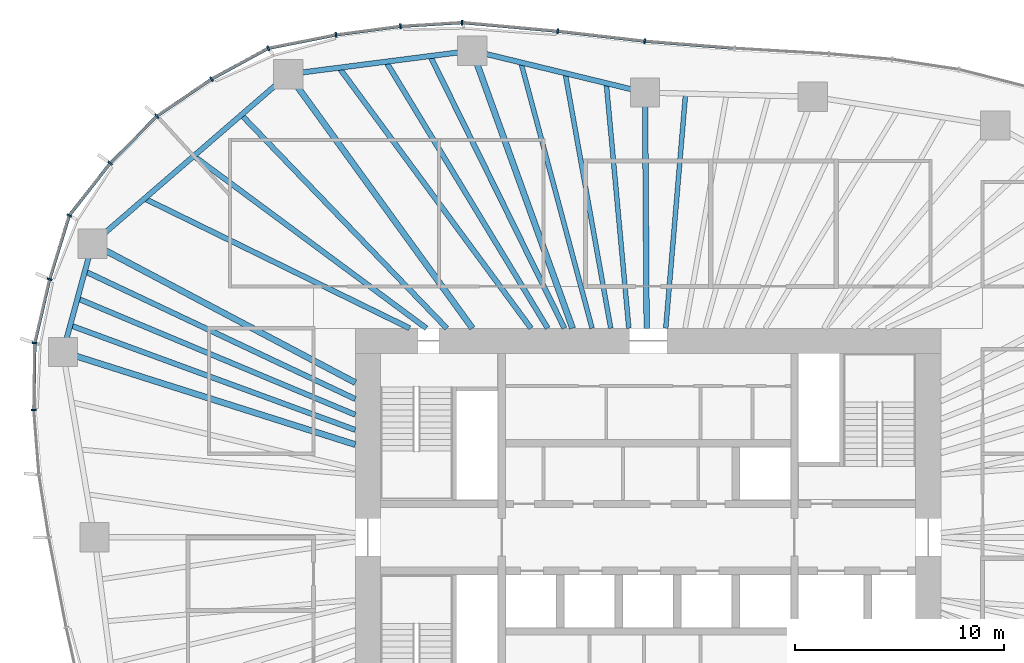
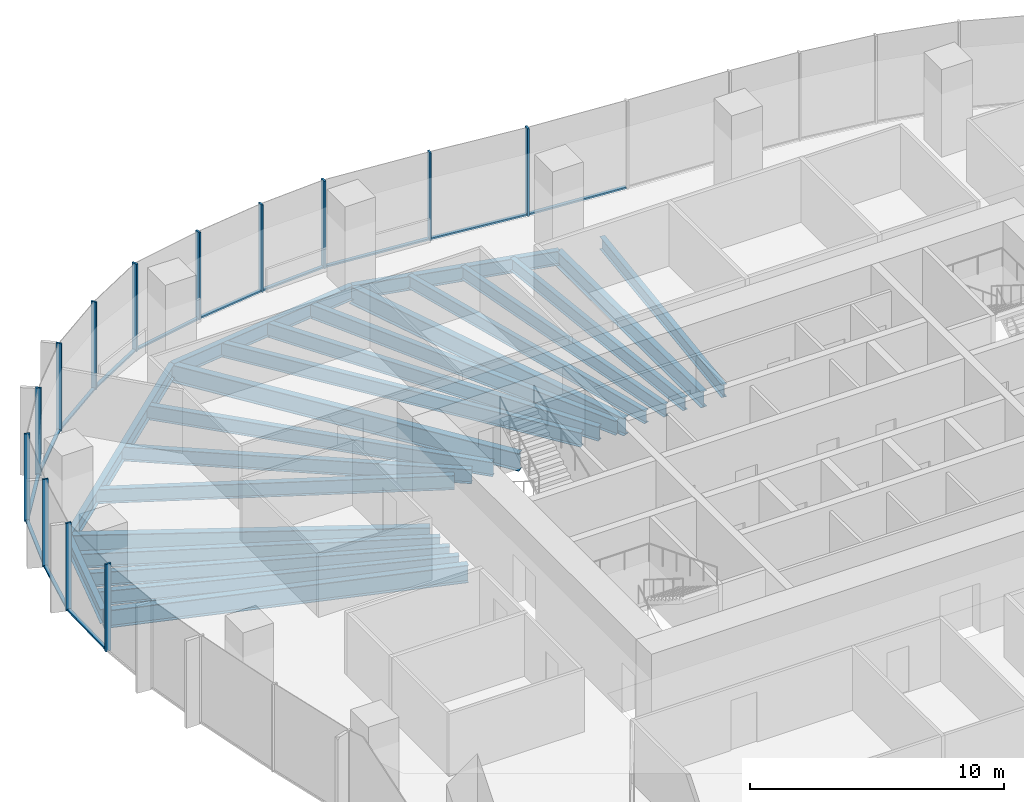
# One storey, part 5 of 18: 26 members, 22 beams, 6 elements without a shape of their own.
"""IFC4 building model written with IfcOpenShell, lengths in metres."""

from ifc_helpers import new_model, si_unit, direction, frame, origin, origin_2d, place, context, subcontext, project, spatial, rectangle, i_section, extrude, material, material_profile, profile_set, type_object, element, aggregate, save


model = new_model("IFC4")

# Units and contexts
model_context = context("Model", 3, precision=1e-05, world=origin(), true_north=direction((0.0, 1.0)))
body_context = subcontext(model_context, "Body", "Model", "MODEL_VIEW")
ifc_project = project(units=[si_unit("LENGTHUNIT", "METRE"), si_unit("AREAUNIT", "SQUARE_METRE"), si_unit("VOLUMEUNIT", "CUBIC_METRE"), si_unit("PLANEANGLEUNIT", "RADIAN"), si_unit("MASSUNIT", "GRAM", prefix="KILO")], contexts=[model_context])

# Site, building, storey
site_placement = place(None, origin())
site = spatial("IfcSite", under=ifc_project, at=site_placement, CompositionType="ELEMENT")
building_placement = place(site_placement, origin())
building = spatial("IfcBuilding", under=site, at=building_placement, Name="Ghaith Harvest Tower", CompositionType="ELEMENT")
storey_placement = place(building_placement, frame((0.0, 0.0, 159.60009765625)))
storey = spatial("IfcBuildingStorey", under=building, at=storey_placement, Name="L34", CompositionType="ELEMENT", Elevation=159.60009765625)

# Curtain wall, members
ifc_material_1 = material(Name="Black anodised aluminium and fritted glass", Category="aluminium")
curtain_wall_type = type_object("IfcCurtainWallType", Name="CW-L CURTAIN WALL", PredefinedType="NOTDEFINED", material=ifc_material_1)
curtain_wall_1_placement = place(storey_placement, origin())
curtain_wall_1 = element("IfcCurtainWall", 1, at=curtain_wall_1_placement, inside=storey, type_object=curtain_wall_type, Name="Curtain wall CW-L bay 06 L34", PredefinedType="NOTDEFINED")
ifc_material_2 = material(Name="Aluminium, black anodised", Category="aluminium")
ifc_material_profile_1 = material_profile(ifc_material_2, rectangle(XDim=0.080078125, YDim=0.239990234375, at=origin_2d()), Name="CW-L MULLION 80x240")
ifc_profile_set_1 = profile_set([ifc_material_profile_1], Name="Aluminium, black anodised")
member_type_1 = type_object("IfcMemberType", Name="CW-L MULLION 80x240", PredefinedType="MULLION", material=ifc_profile_set_1)
member_1_placement = place(storey_placement, frame((-0.162353515625, 23.729736328125, 0.0), z_axis=(0.0, 0.0, 1.0), x_axis=(-0.995388088953, 0.095929934691, 0.0)))
member_1 = element("IfcMember", 2, at=member_1_placement, type_object=member_type_1, Name="CW-L mullion 1 bay 06 L34", PredefinedType="MULLION", context=body_context, shape_type="SweptSolid", body=[
    extrude(rectangle(XDim=0.080078125, YDim=0.239990234375, at=origin_2d()), origin(), (0.0, 0.0, 1.0), 4.199951171875),
])
member_2_placement = place(storey_placement, frame((-4.322998046875, 24.207275390625, 0.0), z_axis=(0.0, 0.0, 1.0), x_axis=(-0.994830371571, 0.101550636625, 0.0)))
member_2 = element("IfcMember", 3, at=member_2_placement, type_object=member_type_1, Name="CW-L mullion 2 bay 06 L34", PredefinedType="MULLION", context=body_context, shape_type="SweptSolid", body=[
    extrude(rectangle(XDim=0.080078125, YDim=0.239990234375, at=origin_2d()), origin(), (0.0, 0.0, 1.0), 4.199951171875),
])

curtain_wall_2_placement = place(storey_placement, origin())
curtain_wall_2 = element("IfcCurtainWall", 4, at=curtain_wall_2_placement, inside=storey, type_object=curtain_wall_type, Name="Curtain wall CW-L bay 07 L34", PredefinedType="NOTDEFINED")
member_3_placement = place(storey_placement, frame((-8.892578125, 24.620849609375, 0.0), z_axis=(0.0, 0.0, 1.0), x_axis=(-0.999522209385, 0.030908784286, 0.0)))
member_3 = element("IfcMember", 5, at=member_3_placement, type_object=member_type_1, Name="CW-L mullion 1 bay 07 L34", PredefinedType="MULLION", context=body_context, shape_type="SweptSolid", body=[
    extrude(rectangle(XDim=0.080078125, YDim=0.239990234375, at=origin_2d()), origin(), (0.0, 0.0, 1.0), 4.199951171875),
])
member_4_placement = place(storey_placement, frame((-11.841064453125, 24.439697265625, 0.0), z_axis=(0.0, 0.0, 1.0), x_axis=(-0.995237520168, -0.097479630949, 0.0)))
member_4 = element("IfcMember", 6, at=member_4_placement, type_object=member_type_1, Name="CW-L mullion 2 bay 07 L34", PredefinedType="MULLION", context=body_context, shape_type="SweptSolid", body=[
    extrude(rectangle(XDim=0.080078125, YDim=0.239990234375, at=origin_2d()), origin(), (0.0, 0.0, 1.0), 4.199951171875),
])
member_5_placement = place(storey_placement, frame((-14.923828125, 24.030029296875, 0.0), z_axis=(0.0, 0.0, 1.0), x_axis=(-0.986494514812, -0.163794298578, 0.0)))
member_5 = element("IfcMember", 7, at=member_5_placement, type_object=member_type_1, Name="CW-L mullion 3 bay 07 L34", PredefinedType="MULLION", context=body_context, shape_type="SweptSolid", body=[
    extrude(rectangle(XDim=0.080078125, YDim=0.239990234375, at=origin_2d()), origin(), (0.0, 0.0, 1.0), 4.199951171875),
])

curtain_wall_3_placement = place(storey_placement, origin())
curtain_wall_3 = element("IfcCurtainWall", 8, at=curtain_wall_3_placement, inside=storey, type_object=curtain_wall_type, Name="Curtain wall CW-L bay 08 L34", PredefinedType="NOTDEFINED")
member_6_placement = place(storey_placement, frame((-18.165283203125, 23.3896484375, 0.0), z_axis=(0.0, 0.0, 1.0), x_axis=(-0.942103541202, -0.335322110298, 0.0)))
member_6 = element("IfcMember", 9, at=member_6_placement, type_object=member_type_1, Name="CW-L mullion 1 bay 08 L34", PredefinedType="MULLION", context=body_context, shape_type="SweptSolid", body=[
    extrude(rectangle(XDim=0.080078125, YDim=0.239990234375, at=origin_2d()), origin(), (0.0, 0.0, 1.0), 4.199951171875),
])
member_7_placement = place(storey_placement, frame((-20.87548828125, 21.91162109375, 0.0), z_axis=(0.0, 0.0, 1.0), x_axis=(-0.853515864435, -0.521066856707, 0.0)))
member_7 = element("IfcMember", 10, at=member_7_placement, type_object=member_type_1, Name="CW-L mullion 2 bay 08 L34", PredefinedType="MULLION", context=body_context, shape_type="SweptSolid", body=[
    extrude(rectangle(XDim=0.080078125, YDim=0.239990234375, at=origin_2d()), origin(), (0.0, 0.0, 1.0), 4.199951171875),
])
member_8_placement = place(storey_placement, frame((-23.489501953125, 20.13916015625, 0.0), z_axis=(0.0, 0.0, 1.0), x_axis=(-0.769682554376, -0.638426789451, 0.0)))
member_8 = element("IfcMember", 11, at=member_8_placement, type_object=member_type_1, Name="CW-L mullion 3 bay 08 L34", PredefinedType="MULLION", context=body_context, shape_type="SweptSolid", body=[
    extrude(rectangle(XDim=0.080078125, YDim=0.239990234375, at=origin_2d()), origin(), (0.0, 0.0, 1.0), 4.199951171875),
])

curtain_wall_4_placement = place(storey_placement, origin())
curtain_wall_4 = element("IfcCurtainWall", 12, at=curtain_wall_4_placement, inside=storey, type_object=curtain_wall_type, Name="Curtain wall CW-L bay 09 L34", PredefinedType="NOTDEFINED")
member_9_placement = place(storey_placement, frame((-25.718017578125, 17.894775390625, 0.0), z_axis=(0.0, 0.0, 1.0), x_axis=(-0.661903840688, -0.749588757708, 0.0)))
member_9 = element("IfcMember", 13, at=member_9_placement, type_object=member_type_1, Name="CW-L mullion 1 bay 09 L34", PredefinedType="MULLION", context=body_context, shape_type="SweptSolid", body=[
    extrude(rectangle(XDim=0.080078125, YDim=0.239990234375, at=origin_2d()), origin(), (0.0, 0.0, 1.0), 4.199951171875),
])
member_10_placement = place(storey_placement, frame((-27.67919921875, 15.39453125, 0.0), z_axis=(0.0, 0.0, 1.0), x_axis=(-0.462889784298, -0.886415843491, 0.0)))
member_10 = element("IfcMember", 14, at=member_10_placement, type_object=member_type_1, Name="CW-L mullion 2 bay 09 L34", PredefinedType="MULLION", context=body_context, shape_type="SweptSolid", body=[
    extrude(rectangle(XDim=0.080078125, YDim=0.239990234375, at=origin_2d()), origin(), (0.0, 0.0, 1.0), 4.199951171875),
])
member_11_placement = place(storey_placement, frame((-28.61669921875, 12.343994140625, 0.0), z_axis=(0.0, 0.0, 1.0), x_axis=(-0.260727312416, -0.965412486226, 0.0)))
member_11 = element("IfcMember", 15, at=member_11_placement, type_object=member_type_1, Name="CW-L mullion 3 bay 09 L34", PredefinedType="MULLION", context=body_context, shape_type="SweptSolid", body=[
    extrude(rectangle(XDim=0.080078125, YDim=0.239990234375, at=origin_2d()), origin(), (0.0, 0.0, 1.0), 4.199951171875),
])

curtain_wall_5_placement = place(storey_placement, origin())
curtain_wall_5 = element("IfcCurtainWall", 16, at=curtain_wall_5_placement, inside=storey, type_object=curtain_wall_type, Name="Curtain wall CW-L bay 10 L34", PredefinedType="NOTDEFINED")
member_12_placement = place(storey_placement, frame((-29.32666015625, 9.294189453125, 0.0), z_axis=(0.0, 0.0, 1.0), x_axis=(-0.120932140225, -0.99266077663, 0.0)))
member_12 = element("IfcMember", 17, at=member_12_placement, type_object=member_type_1, Name="CW-L mullion 1 bay 10 L34", PredefinedType="MULLION", context=body_context, shape_type="SweptSolid", body=[
    extrude(rectangle(XDim=0.080078125, YDim=0.239990234375, at=origin_2d()), origin(), (0.0, 0.0, 1.0), 4.199951171875),
])
member_13_placement = place(storey_placement, frame((-29.3779296875, 6.09619140625, 0.0), z_axis=(0.0, 0.0, 1.0), x_axis=(0.031027769448, -0.999518522851, 0.0)))
member_13 = element("IfcMember", 18, at=member_13_placement, type_object=member_type_1, Name="CW-L mullion 2 bay 10 L34", PredefinedType="MULLION", context=body_context, shape_type="SweptSolid", body=[
    extrude(rectangle(XDim=0.080078125, YDim=0.239990234375, at=origin_2d()), origin(), (0.0, 0.0, 1.0), 4.199951171875),
])

# Curtain wall, member
curtain_wall_6_placement = place(storey_placement, origin())
curtain_wall_6 = element("IfcCurtainWall", 19, at=curtain_wall_6_placement, inside=storey, type_object=curtain_wall_type, Name="Curtain wall CW-L bay 05 L34", PredefinedType="NOTDEFINED")
ifc_material_3 = material(Name="Aluminium, black anodised", Category="aluminium")
ifc_material_profile_2 = material_profile(ifc_material_3, rectangle(XDim=0.14990234375, YDim=0.080078125, at=origin_2d()), Name="CW-L TRANSOM 150x80")
ifc_profile_set_2 = profile_set([ifc_material_profile_2], Name="Aluminium, black anodised")
member_type_2 = type_object("IfcMemberType", Name="CW-L TRANSOM 150x80", PredefinedType="USERDEFINED", material=ifc_profile_set_2)
member_14_placement = place(storey_placement, frame((4.106689453125, 23.39404296875, 0.039794921875), z_axis=(-0.996923406046, 0.078381901463, 0.0), x_axis=(-0.078381901463, -0.996923406046, 0.0)))
member_14 = element("IfcMember", 20, at=member_14_placement, type_object=member_type_2, Name="CW-L transom 2 bay 05 L34", ObjectType="TRANSOM", PredefinedType="USERDEFINED", context=body_context, shape_type="SweptSolid", body=[
    extrude(rectangle(XDim=0.14990234375, YDim=0.080078125, at=origin_2d()), origin(), (0.0, 0.0, 1.0), 4.2421875),
])
aggregate(curtain_wall_6, [member_14])

# Member
member_15_placement = place(storey_placement, frame((-0.2021484375, 23.734130859375, 0.039794921875), z_axis=(-0.993474883942, 0.114051106861, 0.0), x_axis=(-0.114051106861, -0.993474883942, 0.0)))
member_15 = element("IfcMember", 21, at=member_15_placement, type_object=member_type_2, Name="CW-L transom 1 bay 06 L34", ObjectType="TRANSOM", PredefinedType="USERDEFINED", context=body_context, shape_type="SweptSolid", body=[
    extrude(rectangle(XDim=0.14990234375, YDim=0.080078125, at=origin_2d()), origin(), (0.0, 0.0, 1.0), 4.10791015625),
])

member_16_placement = place(storey_placement, frame((-4.36279296875, 24.210693359375, 0.039794921875), z_axis=(-0.995926431676, 0.090169521954, 0.0), x_axis=(-0.090169521954, -0.995926431676, 0.0)))
member_16 = element("IfcMember", 22, at=member_16_placement, type_object=member_type_2, Name="CW-L transom 2 bay 06 L34", ObjectType="TRANSOM", PredefinedType="USERDEFINED", context=body_context, shape_type="SweptSolid", body=[
    extrude(rectangle(XDim=0.14990234375, YDim=0.080078125, at=origin_2d()), origin(), (0.0, 0.0, 1.0), 4.508056640625),
])

aggregate(curtain_wall_1, [member_1, member_15, member_2, member_16])

member_17_placement = place(storey_placement, frame((-8.932373046875, 24.618408203125, 0.039794921875), z_axis=(-0.998117793577, -0.061325933705, 0.0), x_axis=(0.061325933705, -0.998117793577, 0.0)))
member_17 = element("IfcMember", 23, at=member_17_placement, type_object=member_type_2, Name="CW-L transom 1 bay 07 L34", ObjectType="TRANSOM", PredefinedType="USERDEFINED", context=body_context, shape_type="SweptSolid", body=[
    extrude(rectangle(XDim=0.14990234375, YDim=0.080078125, at=origin_2d()), origin(), (0.0, 0.0, 1.0), 2.874267578125),
])

member_18_placement = place(storey_placement, frame((-11.880859375, 24.434326171875, 0.039794921875), z_axis=(-0.991293929443, -0.131667556553, 0.0), x_axis=(0.131667556553, -0.991293929443, 0.0)))
member_18 = element("IfcMember", 24, at=member_18_placement, type_object=member_type_2, Name="CW-L transom 2 bay 07 L34", ObjectType="TRANSOM", PredefinedType="USERDEFINED", context=body_context, shape_type="SweptSolid", body=[
    extrude(rectangle(XDim=0.14990234375, YDim=0.080078125, at=origin_2d()), origin(), (0.0, 0.0, 1.0), 3.02978515625),
])

member_19_placement = place(storey_placement, frame((-14.963134765625, 24.022216796875, 0.039794921875), z_axis=(-0.98104391994, -0.19378551842, 0.0), x_axis=(0.19378551842, -0.98104391994, 0.0)))
member_19 = element("IfcMember", 25, at=member_19_placement, type_object=member_type_2, Name="CW-L transom 3 bay 07 L34", ObjectType="TRANSOM", PredefinedType="USERDEFINED", context=body_context, shape_type="SweptSolid", body=[
    extrude(rectangle(XDim=0.14990234375, YDim=0.080078125, at=origin_2d()), origin(), (0.0, 0.0, 1.0), 3.223876953125),
])

aggregate(curtain_wall_2, [member_3, member_17, member_4, member_18, member_5, member_19])

member_20_placement = place(storey_placement, frame((-18.200439453125, 23.37060546875, 0.039794921875), z_axis=(-0.877929702377, -0.478789554695, 0.0), x_axis=(0.478789554695, -0.877929702377, 0.0)))
member_20 = element("IfcMember", 26, at=member_20_placement, type_object=member_type_2, Name="CW-L transom 1 bay 08 L34", ObjectType="TRANSOM", PredefinedType="USERDEFINED", context=body_context, shape_type="SweptSolid", body=[
    extrude(rectangle(XDim=0.14990234375, YDim=0.080078125, at=origin_2d()), origin(), (0.0, 0.0, 1.0), 3.0068359375),
])

member_21_placement = place(storey_placement, frame((-20.908447265625, 21.88916015625, 0.039794921875), z_axis=(-0.827681025079, -0.561198824593, 0.0), x_axis=(0.561198824593, -0.827681025079, 0.0)))
member_21 = element("IfcMember", 27, at=member_21_placement, type_object=member_type_2, Name="CW-L transom 2 bay 08 L34", ObjectType="TRANSOM", PredefinedType="USERDEFINED", context=body_context, shape_type="SweptSolid", body=[
    extrude(rectangle(XDim=0.14990234375, YDim=0.080078125, at=origin_2d()), origin(), (0.0, 0.0, 1.0), 3.078369140625),
])

member_22_placement = place(storey_placement, frame((-23.517578125, 20.11083984375, 0.039794921875), z_axis=(-0.704647577514, -0.709557461735, 0.0), x_axis=(0.709557461735, -0.704647577514, 0.0)))
member_22 = element("IfcMember", 28, at=member_22_placement, type_object=member_type_2, Name="CW-L transom 3 bay 08 L34", ObjectType="TRANSOM", PredefinedType="USERDEFINED", context=body_context, shape_type="SweptSolid", body=[
    extrude(rectangle(XDim=0.14990234375, YDim=0.080078125, at=origin_2d()), origin(), (0.0, 0.0, 1.0), 3.0830078125),
])

aggregate(curtain_wall_3, [member_6, member_20, member_7, member_21, member_8, member_22])

member_23_placement = place(storey_placement, frame((-25.74267578125, 17.86328125, 0.039794921875), z_axis=(-0.617198298797, -0.786807638474, 0.0), x_axis=(0.786807638474, -0.617198298797, 0.0)))
member_23 = element("IfcMember", 29, at=member_23_placement, type_object=member_type_2, Name="CW-L transom 1 bay 09 L34", ObjectType="TRANSOM", PredefinedType="USERDEFINED", context=body_context, shape_type="SweptSolid", body=[
    extrude(rectangle(XDim=0.14990234375, YDim=0.080078125, at=origin_2d()), origin(), (0.0, 0.0, 1.0), 3.09765625),
])

member_24_placement = place(storey_placement, frame((-27.69091796875, 15.356201171875, 0.039794921875), z_axis=(-0.293777058804, -0.955873966441, 0.0), x_axis=(0.955873966441, -0.293777058804, 0.0)))
member_24 = element("IfcMember", 30, at=member_24_placement, type_object=member_type_2, Name="CW-L transom 2 bay 09 L34", ObjectType="TRANSOM", PredefinedType="USERDEFINED", context=body_context, shape_type="SweptSolid", body=[
    extrude(rectangle(XDim=0.14990234375, YDim=0.080078125, at=origin_2d()), origin(), (0.0, 0.0, 1.0), 3.111328125),
])

member_25_placement = place(storey_placement, frame((-28.6259765625, 12.304931640625, 0.039794921875), z_axis=(-0.226670598607, -0.973971477882, 0.0), x_axis=(0.973971477882, -0.226670598607, 0.0)))
member_25 = element("IfcMember", 31, at=member_25_placement, type_object=member_type_2, Name="CW-L transom 3 bay 09 L34", ObjectType="TRANSOM", PredefinedType="USERDEFINED", context=body_context, shape_type="SweptSolid", body=[
    extrude(rectangle(XDim=0.14990234375, YDim=0.080078125, at=origin_2d()), origin(), (0.0, 0.0, 1.0), 3.05126953125),
])

aggregate(curtain_wall_4, [member_9, member_23, member_10, member_24, member_11, member_25])

member_26_placement = place(storey_placement, frame((-29.327392578125, 9.254150390625, 0.039794921875), z_axis=(-0.015971652868, -0.999872445017, 0.0), x_axis=(0.999872445017, -0.015971652868, 0.0)))
member_26 = element("IfcMember", 32, at=member_26_placement, type_object=member_type_2, Name="CW-L transom 1 bay 10 L34", ObjectType="TRANSOM", PredefinedType="USERDEFINED", context=body_context, shape_type="SweptSolid", body=[
    extrude(rectangle(XDim=0.14990234375, YDim=0.080078125, at=origin_2d()), origin(), (0.0, 0.0, 1.0), 3.118408203125),
])

aggregate(curtain_wall_5, [member_12, member_26, member_13])

# Beams
ifc_material_4 = material(Name="Steel ASTM A992 Grade 50", Category="steel")
ifc_material_profile_3 = material_profile(ifc_material_4, i_section(OverallWidth=0.25390625, OverallDepth=0.68408203125, WebThickness=0.012451171875, FlangeThickness=0.018798828125, at=origin_2d()), Name="W690X140")
ifc_profile_set_3 = profile_set([ifc_material_profile_3], Name="Steel ASTM A992 Grade 50")
beam_type_1 = type_object("IfcBeamType", Name="E690-140 W690X140", PredefinedType="SPANDREL", material=ifc_profile_set_3)
beam_1_placement = place(storey_placement, frame((-0.14599609375, 21.27099609375, -0.51220703125), z_axis=(-0.971790293477, 0.235846614358, 0.0), x_axis=(-0.235846614358, -0.971790293477, 0.0)))
element("IfcBeam", 33, at=beam_1_placement, inside=storey, type_object=beam_type_1, Name="Edge beam E06 L34", PredefinedType="SPANDREL", context=body_context, shape_type="SweptSolid", body=[
    extrude(i_section(OverallWidth=0.25390625, OverallDepth=0.68408203125, WebThickness=0.012451171875, FlangeThickness=0.018798828125, at=origin_2d()), origin(), (0.0, 0.0, 1.0), 8.500732421875),
])
beam_2_placement = place(storey_placement, frame((-8.406982421875, 23.27587890625, -0.51220703125), z_axis=(-0.991904090065, -0.126989275577, 0.0), x_axis=(0.126989275577, -0.991904090065, 0.0)))
element("IfcBeam", 34, at=beam_2_placement, inside=storey, type_object=beam_type_1, Name="Edge beam E07 L34", PredefinedType="SPANDREL", context=body_context, shape_type="SweptSolid", body=[
    extrude(i_section(OverallWidth=0.25390625, OverallDepth=0.68408203125, WebThickness=0.012451171875, FlangeThickness=0.018798828125, at=origin_2d()), origin(), (0.0, 0.0, 1.0), 8.86669921875),
])
beam_3_placement = place(storey_placement, frame((-17.201904296875, 22.14990234375, -0.51220703125), z_axis=(-0.756392158274, -0.654118416574, 0.0), x_axis=(0.654118416574, -0.756392158274, 0.0)))
element("IfcBeam", 35, at=beam_3_placement, inside=storey, type_object=beam_type_1, Name="Edge beam E08 L34", PredefinedType="SPANDREL", context=body_context, shape_type="SweptSolid", body=[
    extrude(i_section(OverallWidth=0.25390625, OverallDepth=0.68408203125, WebThickness=0.012451171875, FlangeThickness=0.018798828125, at=origin_2d()), origin(), (0.0, 0.0, 1.0), 12.38916015625),
])
beam_4_placement = place(storey_placement, frame((-26.572998046875, 14.0458984375, -0.51220703125), z_axis=(-0.262724740433, -0.964870825947, 0.0), x_axis=(0.964870825947, -0.262724740433, 0.0)))
element("IfcBeam", 36, at=beam_4_placement, inside=storey, type_object=beam_type_1, Name="Edge beam E09 L34", PredefinedType="SPANDREL", context=body_context, shape_type="SweptSolid", body=[
    extrude(i_section(OverallWidth=0.25390625, OverallDepth=0.68408203125, WebThickness=0.012451171875, FlangeThickness=0.018798828125, at=origin_2d()), origin(), (0.0, 0.0, 1.0), 5.366455078125),
])
ifc_material_5 = material(Name="Steel ASTM A992 Grade 50", Category="steel")
ifc_material_profile_4 = material_profile(ifc_material_5, i_section(OverallWidth=0.26806640625, OverallDepth=0.77001953125, WebThickness=0.015625, FlangeThickness=0.025390625, at=origin_2d()), Name="W760X196")
ifc_profile_set_4 = profile_set([ifc_material_profile_4], Name="Steel ASTM A992 Grade 50")
beam_type_2 = type_object("IfcBeamType", Name="G760-196 W760X196", PredefinedType="BEAM", material=ifc_profile_set_4)
beam_5_placement = place(storey_placement, frame((-0.068359375, 10.0, -0.55517578125), z_axis=(-0.006888022705, 0.99997627729, 0.0), x_axis=(-0.99997627729, -0.006888022705, 0.0)))
element("IfcBeam", 37, at=beam_5_placement, inside=storey, type_object=beam_type_2, Name="Radial girder G06 L34", PredefinedType="BEAM", context=body_context, shape_type="SweptSolid", body=[
    extrude(i_section(OverallWidth=0.26806640625, OverallDepth=0.77001953125, WebThickness=0.015625, FlangeThickness=0.025390625, at=origin_2d()), origin(), (0.0, 0.0, 1.0), 11.271240234375),
])
ifc_material_6 = material(Name="Steel ASTM A992 Grade 50", Category="steel")
ifc_material_profile_5 = material_profile(ifc_material_6, i_section(OverallWidth=0.2939453125, OverallDepth=0.85107421875, WebThickness=0.01611328125, FlangeThickness=0.02685546875, at=origin_2d()), Name="W840X226")
ifc_profile_set_5 = profile_set([ifc_material_profile_5], Name="Steel ASTM A992 Grade 50")
beam_type_3 = type_object("IfcBeamType", Name="G840-226 W840X226", PredefinedType="BEAM", material=ifc_profile_set_5)
beam_6_placement = place(storey_placement, frame((-3.61181640625, 10.0, -0.595703125), z_axis=(-0.339713316819, 0.940529033245, 0.0), x_axis=(-0.940529033245, -0.339713316819, 0.0)))
element("IfcBeam", 38, at=beam_6_placement, inside=storey, type_object=beam_type_3, Name="Radial girder G07 L34", PredefinedType="BEAM", context=body_context, shape_type="SweptSolid", body=[
    extrude(i_section(OverallWidth=0.2939453125, OverallDepth=0.85107421875, WebThickness=0.01611328125, FlangeThickness=0.02685546875, at=origin_2d()), origin(), (0.0, 0.0, 1.0), 14.115234375),
])
beam_7_placement = place(storey_placement, frame((-8.39990234375, 10.0, -0.595703125), z_axis=(-0.586675813287, 0.809821887889, 0.0), x_axis=(-0.809821887889, -0.586675813287, 0.0)))
element("IfcBeam", 39, at=beam_7_placement, inside=storey, type_object=beam_type_3, Name="Radial girder G08 L34", PredefinedType="BEAM", context=body_context, shape_type="SweptSolid", body=[
    extrude(i_section(OverallWidth=0.2939453125, OverallDepth=0.85107421875, WebThickness=0.01611328125, FlangeThickness=0.02685546875, at=origin_2d()), origin(), (0.0, 0.0, 1.0), 15.003173828125),
])
beam_8_placement = place(storey_placement, frame((-14.0, 7.39990234375, -0.595703125), z_axis=(-0.88408713845, 0.467322085533, 0.0), x_axis=(-0.467322085533, -0.88408713845, 0.0)))
element("IfcBeam", 40, at=beam_8_placement, inside=storey, type_object=beam_type_3, Name="Radial girder G09 L34", PredefinedType="BEAM", context=body_context, shape_type="SweptSolid", body=[
    extrude(i_section(OverallWidth=0.2939453125, OverallDepth=0.85107421875, WebThickness=0.01611328125, FlangeThickness=0.02685546875, at=origin_2d()), origin(), (0.0, 0.0, 1.0), 14.221435546875),
])
beam_9_placement = place(storey_placement, frame((-14.0, 4.43701171875, -0.595703125), z_axis=(-0.953283605796, 0.302076756671, 0.0), x_axis=(-0.302076756671, -0.953283605796, 0.0)))
element("IfcBeam", 41, at=beam_9_placement, inside=storey, type_object=beam_type_3, Name="Radial girder G10 L34", PredefinedType="BEAM", context=body_context, shape_type="SweptSolid", body=[
    extrude(i_section(OverallWidth=0.2939453125, OverallDepth=0.85107421875, WebThickness=0.01611328125, FlangeThickness=0.02685546875, at=origin_2d()), origin(), (0.0, 0.0, 1.0), 14.668212890625),
])
ifc_material_7 = material(Name="Steel ASTM A992 Grade 50", Category="steel")
ifc_material_profile_6 = material_profile(ifc_material_7, i_section(OverallWidth=0.22900390625, OverallDepth=0.612060546875, WebThickness=0.011962890625, FlangeThickness=0.01953125, at=origin_2d()), Name="W610X125")
ifc_profile_set_6 = profile_set([ifc_material_profile_6], Name="Steel ASTM A992 Grade 50")
beam_type_4 = type_object("IfcBeamType", Name="J610-125 W610X125", PredefinedType="JOIST", material=ifc_profile_set_6)
beam_10_placement = place(storey_placement, frame((0.844970703125, 10.0, -0.47607421875), z_axis=(0.084213263804, 0.996447753873, 0.0), x_axis=(-0.996447753873, 0.084213263804, 0.0)))
element("IfcBeam", 42, at=beam_10_placement, inside=storey, type_object=beam_type_4, Name="Joist J05.3 L34", PredefinedType="JOIST", context=body_context, shape_type="SweptSolid", body=[
    extrude(i_section(OverallWidth=0.22900390625, OverallDepth=0.612060546875, WebThickness=0.011962890625, FlangeThickness=0.01953125, at=origin_2d()), origin(), (0.0, 0.0, 1.0), 11.262939453125),
])
beam_11_placement = place(storey_placement, frame((-0.92041015625, 10.0, -0.47607421875), z_axis=(-0.091659676302, 0.995790391468, 0.0), x_axis=(-0.995790391468, -0.091659676302, 0.0)))
element("IfcBeam", 43, at=beam_11_placement, inside=storey, type_object=beam_type_4, Name="Joist J06.1 L34", PredefinedType="JOIST", context=body_context, shape_type="SweptSolid", body=[
    extrude(i_section(OverallWidth=0.22900390625, OverallDepth=0.612060546875, WebThickness=0.011962890625, FlangeThickness=0.01953125, at=origin_2d()), origin(), (0.0, 0.0, 1.0), 11.770263671875),
])
beam_12_placement = place(storey_placement, frame((-1.785888671875, 10.0, -0.47607421875), z_axis=(-0.175794730188, 0.984426844838, 0.0), x_axis=(-0.984426844838, -0.175794730188, 0.0)))
element("IfcBeam", 44, at=beam_12_placement, inside=storey, type_object=beam_type_4, Name="Joist J06.2 L34", PredefinedType="JOIST", context=body_context, shape_type="SweptSolid", body=[
    extrude(i_section(OverallWidth=0.22900390625, OverallDepth=0.612060546875, WebThickness=0.011962890625, FlangeThickness=0.01953125, at=origin_2d()), origin(), (0.0, 0.0, 1.0), 12.390625),
])
beam_13_placement = place(storey_placement, frame((-2.677978515625, 10.0, -0.47607421875), z_axis=(-0.258692500157, 0.965959725021, 0.0), x_axis=(-0.965959725021, -0.258692500157, 0.0)))
element("IfcBeam", 45, at=beam_13_placement, inside=storey, type_object=beam_type_4, Name="Joist J06.3 L34", PredefinedType="JOIST", context=body_context, shape_type="SweptSolid", body=[
    extrude(i_section(OverallWidth=0.22900390625, OverallDepth=0.612060546875, WebThickness=0.011962890625, FlangeThickness=0.01953125, at=origin_2d()), origin(), (0.0, 0.0, 1.0), 13.15966796875),
])
ifc_material_8 = material(Name="Steel ASTM A992 Grade 50", Category="steel")
ifc_material_profile_7 = material_profile(ifc_material_8, i_section(OverallWidth=0.25390625, OverallDepth=0.68408203125, WebThickness=0.012451171875, FlangeThickness=0.018798828125, at=origin_2d()), Name="W690X140")
ifc_profile_set_7 = profile_set([ifc_material_profile_7], Name="Steel ASTM A992 Grade 50")
beam_type_5 = type_object("IfcBeamType", Name="J690-140 W690X140", PredefinedType="JOIST", material=ifc_profile_set_7)
beam_14_placement = place(storey_placement, frame((-4.0, 10.0, -0.51220703125), z_axis=(-0.442214455448, 0.896909346251, 0.0), x_axis=(-0.896909346251, -0.442214455448, 0.0)))
element("IfcBeam", 46, at=beam_14_placement, inside=storey, type_object=beam_type_5, Name="Joist J07.1 L34", PredefinedType="JOIST", context=body_context, shape_type="SweptSolid", body=[
    extrude(i_section(OverallWidth=0.25390625, OverallDepth=0.68408203125, WebThickness=0.012451171875, FlangeThickness=0.018798828125, at=origin_2d()), origin(), (0.0, 0.0, 1.0), 14.514892578125),
])
beam_15_placement = place(storey_placement, frame((-4.800048828125, 10.0, -0.51220703125), z_axis=(-0.51847337083, 0.855093774822, 0.0), x_axis=(-0.855093774822, -0.51847337083, 0.0)))
element("IfcBeam", 47, at=beam_15_placement, inside=storey, type_object=beam_type_5, Name="Joist J07.2 L34", PredefinedType="JOIST", context=body_context, shape_type="SweptSolid", body=[
    extrude(i_section(OverallWidth=0.25390625, OverallDepth=0.68408203125, WebThickness=0.012451171875, FlangeThickness=0.018798828125, at=origin_2d()), origin(), (0.0, 0.0, 1.0), 14.90869140625),
])
beam_16_placement = place(storey_placement, frame((-5.60009765625, 10.0, -0.51220703125), z_axis=(-0.592984827174, 0.805213632983, 0.0), x_axis=(-0.805213632983, -0.592984827174, 0.0)))
element("IfcBeam", 48, at=beam_16_placement, inside=storey, type_object=beam_type_5, Name="Joist J07.3 L34", PredefinedType="JOIST", context=body_context, shape_type="SweptSolid", body=[
    extrude(i_section(OverallWidth=0.25390625, OverallDepth=0.68408203125, WebThickness=0.012451171875, FlangeThickness=0.018798828125, at=origin_2d()), origin(), (0.0, 0.0, 1.0), 15.474609375),
])
beam_17_placement = place(storey_placement, frame((-9.626708984375, 10.0, -0.51220703125), z_axis=(-0.693535693616, 0.720422266231, 0.0), x_axis=(-0.720422266231, -0.693535693616, 0.0)))
element("IfcBeam", 49, at=beam_17_placement, inside=storey, type_object=beam_type_5, Name="Joist J08.1 L34", PredefinedType="JOIST", context=body_context, shape_type="SweptSolid", body=[
    extrude(i_section(OverallWidth=0.25390625, OverallDepth=0.68408203125, WebThickness=0.012451171875, FlangeThickness=0.018798828125, at=origin_2d()), origin(), (0.0, 0.0, 1.0), 14.16552734375),
])
beam_18_placement = place(storey_placement, frame((-10.60009765625, 10.0, -0.51220703125), z_axis=(-0.803663089107, 0.595084564752, 0.0), x_axis=(-0.595084564752, -0.803663089107, 0.0)))
element("IfcBeam", 50, at=beam_18_placement, inside=storey, type_object=beam_type_5, Name="Joist J08.2 L34", PredefinedType="JOIST", context=body_context, shape_type="SweptSolid", body=[
    extrude(i_section(OverallWidth=0.25390625, OverallDepth=0.68408203125, WebThickness=0.012451171875, FlangeThickness=0.018798828125, at=origin_2d()), origin(), (0.0, 0.0, 1.0), 13.843505859375),
])
beam_19_placement = place(storey_placement, frame((-11.39990234375, 10.0, -0.51220703125), z_axis=(-0.898274832354, 0.439434096946, 0.0), x_axis=(-0.439434096946, -0.898274832354, 0.0)))
element("IfcBeam", 51, at=beam_19_placement, inside=storey, type_object=beam_type_5, Name="Joist J08.3 L34", PredefinedType="JOIST", context=body_context, shape_type="SweptSolid", body=[
    extrude(i_section(OverallWidth=0.25390625, OverallDepth=0.68408203125, WebThickness=0.012451171875, FlangeThickness=0.018798828125, at=origin_2d()), origin(), (0.0, 0.0, 1.0), 14.114990234375),
])
beam_20_placement = place(storey_placement, frame((-14.0, 6.614990234375, -0.51220703125), z_axis=(-0.904153428261, 0.427207886354, 0.0), x_axis=(-0.427207886354, -0.904153428261, 0.0)))
element("IfcBeam", 52, at=beam_20_placement, inside=storey, type_object=beam_type_5, Name="Joist J09.1 L34", PredefinedType="JOIST", context=body_context, shape_type="SweptSolid", body=[
    extrude(i_section(OverallWidth=0.25390625, OverallDepth=0.68408203125, WebThickness=0.012451171875, FlangeThickness=0.018798828125, at=origin_2d()), origin(), (0.0, 0.0, 1.0), 14.303466796875),
])
beam_21_placement = place(storey_placement, frame((-14.0, 5.862548828125, -0.51220703125), z_axis=(-0.922385943167, 0.38626955853, 0.0), x_axis=(-0.38626955853, -0.922385943167, 0.0)))
element("IfcBeam", 53, at=beam_21_placement, inside=storey, type_object=beam_type_5, Name="Joist J09.2 L34", PredefinedType="JOIST", context=body_context, shape_type="SweptSolid", body=[
    extrude(i_section(OverallWidth=0.25390625, OverallDepth=0.68408203125, WebThickness=0.012451171875, FlangeThickness=0.018798828125, at=origin_2d()), origin(), (0.0, 0.0, 1.0), 14.404296875),
])
beam_22_placement = place(storey_placement, frame((-14.0, 5.137939453125, -0.51220703125), z_axis=(-0.93877541132, 0.344529718748, 0.0), x_axis=(-0.344529718748, -0.93877541132, 0.0)))
element("IfcBeam", 54, at=beam_22_placement, inside=storey, type_object=beam_type_5, Name="Joist J09.3 L34", PredefinedType="JOIST", context=body_context, shape_type="SweptSolid", body=[
    extrude(i_section(OverallWidth=0.25390625, OverallDepth=0.68408203125, WebThickness=0.012451171875, FlangeThickness=0.018798828125, at=origin_2d()), origin(), (0.0, 0.0, 1.0), 14.525390625),
])

save(model, "model.ifc")
